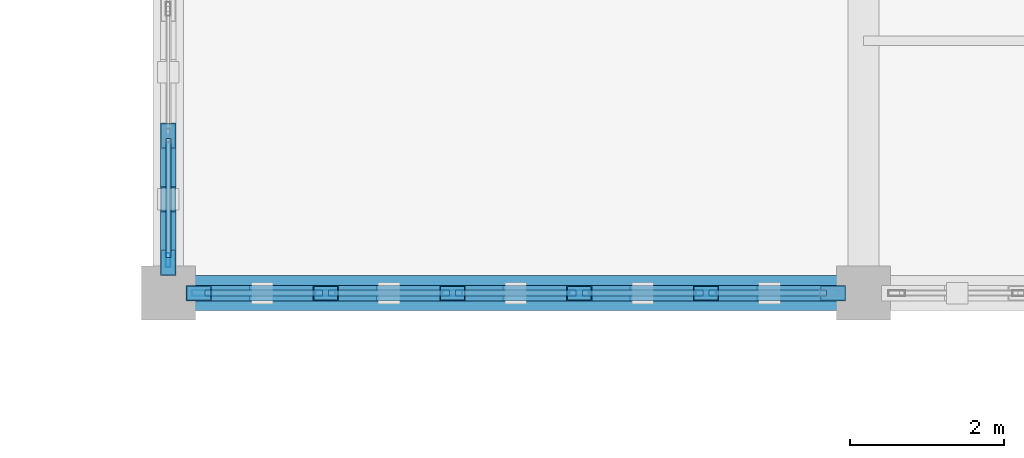
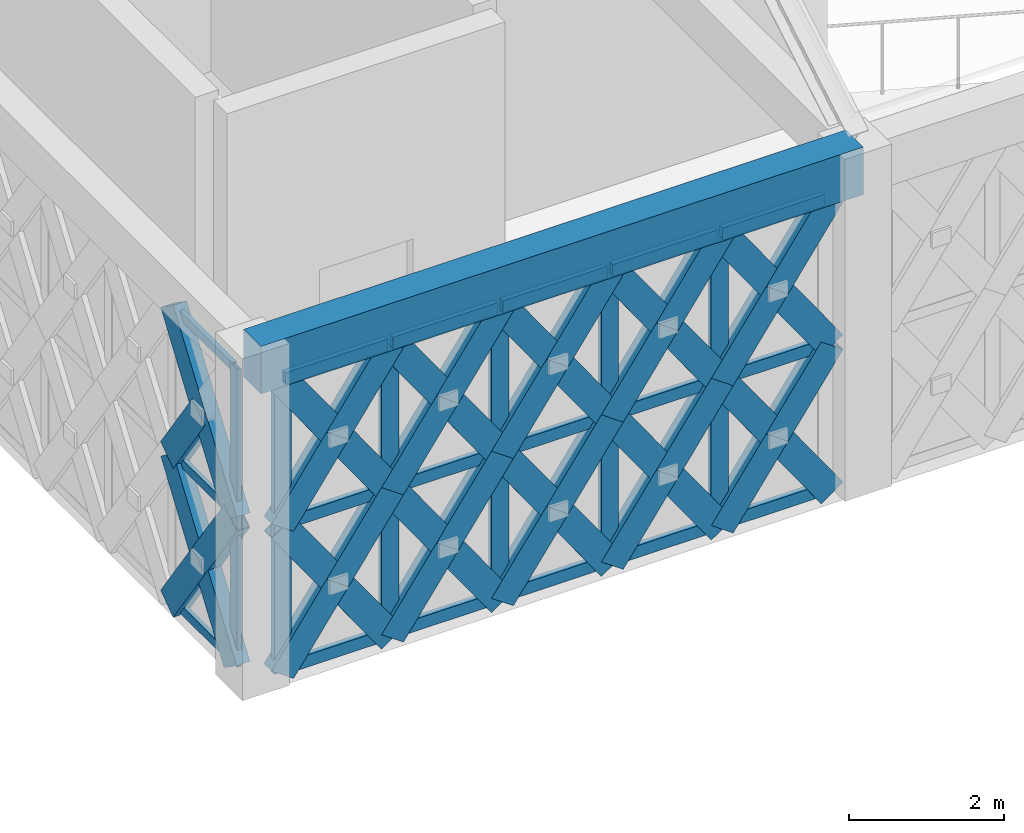
# One storey, part 34 of 72: 59 members, 1 beam, 2 elements without a shape of their own.
"""IFC4 building model written with IfcOpenShell, lengths in metres."""

from ifc_helpers import new_model, si_unit, direction, frame, origin, origin_2d, place, context, subcontext, project, spatial, rectangle, hollow_rectangle, extrude, material, material_profile, profile_set, type_object, element, aggregate, save


model = new_model("IFC4")

# Units and contexts
model_context = context("Model", 3, precision=1e-05, world=origin(), true_north=direction((0.0, 1.0)))
body_context = subcontext(model_context, "Body", "Model", "MODEL_VIEW")
ifc_project = project(units=[si_unit("LENGTHUNIT", "METRE"), si_unit("AREAUNIT", "SQUARE_METRE"), si_unit("VOLUMEUNIT", "CUBIC_METRE"), si_unit("PLANEANGLEUNIT", "RADIAN"), si_unit("MASSUNIT", "GRAM", prefix="KILO")], contexts=[model_context])

# Site, building, storey
site_placement = place(None, origin())
site = spatial("IfcSite", under=ifc_project, at=site_placement, CompositionType="ELEMENT")
building_placement = place(site_placement, origin())
building = spatial("IfcBuilding", under=site, at=building_placement, Name="Haizhuo Lancet Aquarium", CompositionType="ELEMENT")
storey_placement = place(building_placement, frame((0.0, 0.0, 21.60009765625)))
storey = spatial("IfcBuildingStorey", under=building, at=storey_placement, Name="L04", CompositionType="ELEMENT", Elevation=21.60009765625)

# Beam
ifc_material_1 = material(Name="Concrete C40/50", Category="concrete")
ifc_material_profile_1 = material_profile(ifc_material_1, rectangle(XDim=0.449951171875, YDim=0.75, at=origin_2d()), Name="RC-BM 450x750")
ifc_profile_set_1 = profile_set([ifc_material_profile_1], Name="Concrete C40/50")
beam_type = type_object("IfcBeamType", Name="BM-RC-450x750", PredefinedType="BEAM", material=ifc_profile_set_1)
beam_placement = place(storey_placement, frame((-27.0, 36.0, 5.02490234375), z_axis=(1.0, 0.0, 0.0), x_axis=(0.0, 1.0, 0.0)))
element("IfcBeam", 1, at=beam_placement, inside=storey, type_object=beam_type, Name="L04 V5 primary girder BM-L04-V5-002", PredefinedType="BEAM", context=body_context, shape_type="SweptSolid", body=[
    extrude(rectangle(XDim=0.449951171875, YDim=0.75, at=origin_2d()), origin(), (0.0, 0.0, 1.0), 9.0),
])

# Curtain wall, member
ifc_material_2 = material(Name="Aluminium 6063-T6", Category="aluminium")
curtain_wall_type_1 = type_object("IfcCurtainWallType", Name="CWD-8210x4700", PredefinedType="NOTDEFINED", material=ifc_material_2)
curtain_wall_1_placement = place(storey_placement, origin())
curtain_wall_1 = element("IfcCurtainWall", 2, at=curtain_wall_1_placement, inside=storey, type_object=curtain_wall_type_1, Name="L04 curtain wall CW-V5-L04-190", PredefinedType="NOTDEFINED")
ifc_material_profile_2 = material_profile(ifc_material_2, hollow_rectangle(XDim=0.06494140625, YDim=0.179931640625, WallThickness=0.00390625, at=origin_2d()), Name="ALU-M 65x180x4")
ifc_profile_set_2 = profile_set([ifc_material_profile_2], Name="Aluminium 6063-T6")
member_type_1 = type_object("IfcMemberType", Name="CW-MUL-1", PredefinedType="MULLION", material=ifc_profile_set_2)
member_1_placement = place(storey_placement, frame((-27.0, 36.427978515625, 0.0), z_axis=(0.0, 0.0, 1.0), x_axis=(-1.0, 0.0, 0.0)))
member_1 = element("IfcMember", 3, at=member_1_placement, type_object=member_type_1, Name="CWD-82x47 mullion 1", PredefinedType="MULLION", context=body_context, shape_type="SweptSolid", body=[
    extrude(hollow_rectangle(XDim=0.06494140625, YDim=0.179931640625, WallThickness=0.00390625, at=origin_2d()), origin(), (0.0, 0.0, 1.0), 4.699951171875),
])

# Curtain wall, members
curtain_wall_type_2 = type_object("IfcCurtainWallType", Name="CWD-8210x4650", PredefinedType="NOTDEFINED", material=ifc_material_2)
curtain_wall_2_placement = place(storey_placement, origin())
curtain_wall_2 = element("IfcCurtainWall", 4, at=curtain_wall_2_placement, inside=storey, type_object=curtain_wall_type_2, Name="L04 curtain wall CW-V5-L04-189", PredefinedType="NOTDEFINED")
ifc_material_profile_3 = material_profile(ifc_material_2, hollow_rectangle(XDim=0.080078125, YDim=0.260009765625, WallThickness=0.0048828125, at=origin_2d()), Name="ALU-M 80x260x5")
ifc_profile_set_3 = profile_set([ifc_material_profile_3], Name="Aluminium 6063-T6")
member_type_2 = type_object("IfcMemberType", Name="CW-MUL-3", PredefinedType="MULLION", material=ifc_profile_set_3)
member_2_placement = place(storey_placement, frame((-20.037109375, 36.0, 0.0), z_axis=(0.0, 0.0, 1.0), x_axis=(0.0, -1.0, 0.0)))
member_2 = element("IfcMember", 5, at=member_2_placement, type_object=member_type_2, Name="CWD-82x46 mullion 2", PredefinedType="MULLION", context=body_context, shape_type="SweptSolid", body=[
    extrude(hollow_rectangle(XDim=0.080078125, YDim=0.260009765625, WallThickness=0.0048828125, at=origin_2d()), origin(), (0.0, 0.0, 1.0), 4.64990234375),
])
member_3_placement = place(storey_placement, frame((-21.678955078125, 36.0, 0.0), z_axis=(0.0, 0.0, 1.0), x_axis=(0.0, -1.0, 0.0)))
member_3 = element("IfcMember", 6, at=member_3_placement, type_object=member_type_2, Name="CWD-82x46 mullion 3", PredefinedType="MULLION", context=body_context, shape_type="SweptSolid", body=[
    extrude(hollow_rectangle(XDim=0.080078125, YDim=0.260009765625, WallThickness=0.0048828125, at=origin_2d()), origin(), (0.0, 0.0, 1.0), 4.64990234375),
])
member_4_placement = place(storey_placement, frame((-23.321044921875, 36.0, 0.0), z_axis=(0.0, 0.0, 1.0), x_axis=(0.0, -1.0, 0.0)))
member_4 = element("IfcMember", 7, at=member_4_placement, type_object=member_type_2, Name="CWD-82x46 mullion 4", PredefinedType="MULLION", context=body_context, shape_type="SweptSolid", body=[
    extrude(hollow_rectangle(XDim=0.080078125, YDim=0.260009765625, WallThickness=0.0048828125, at=origin_2d()), origin(), (0.0, 0.0, 1.0), 4.64990234375),
])
member_5_placement = place(storey_placement, frame((-24.962890625, 36.0, 0.0), z_axis=(0.0, 0.0, 1.0), x_axis=(0.0, -1.0, 0.0)))
member_5 = element("IfcMember", 8, at=member_5_placement, type_object=member_type_2, Name="CWD-82x46 mullion 5", PredefinedType="MULLION", context=body_context, shape_type="SweptSolid", body=[
    extrude(hollow_rectangle(XDim=0.080078125, YDim=0.260009765625, WallThickness=0.0048828125, at=origin_2d()), origin(), (0.0, 0.0, 1.0), 4.64990234375),
])
member_6_placement = place(storey_placement, frame((-26.56494140625, 36.0, 0.0), z_axis=(0.0, 0.0, 1.0), x_axis=(0.0, -1.0, 0.0)))
member_6 = element("IfcMember", 9, at=member_6_placement, type_object=member_type_2, Name="CWD-82x46 mullion 6", PredefinedType="MULLION", context=body_context, shape_type="SweptSolid", body=[
    extrude(hollow_rectangle(XDim=0.080078125, YDim=0.260009765625, WallThickness=0.0048828125, at=origin_2d()), origin(), (0.0, 0.0, 1.0), 4.64990234375),
])

# Member
ifc_material_profile_4 = material_profile(ifc_material_2, hollow_rectangle(XDim=0.06494140625, YDim=0.139892578125, WallThickness=0.00390625, at=origin_2d()), Name="ALU-T 65x140x4")
ifc_profile_set_4 = profile_set([ifc_material_profile_4], Name="Aluminium 6063-T6")
member_type_3 = type_object("IfcMemberType", Name="CW-TRN-1", PredefinedType="NOTDEFINED", material=ifc_profile_set_4)
member_7_placement = place(storey_placement, frame((-27.0, 36.4599609375, 0.032958984375), z_axis=(0.0, 1.0, 0.0), x_axis=(-1.0, 0.0, 0.0)))
member_7 = element("IfcMember", 10, at=member_7_placement, type_object=member_type_3, Name="CWD-82x47 transom 1.1", ObjectType="TRANSOM", PredefinedType="USERDEFINED", context=body_context, shape_type="SweptSolid", body=[
    extrude(hollow_rectangle(XDim=0.06494140625, YDim=0.139892578125, WallThickness=0.00390625, at=origin_2d()), origin(), (0.0, 0.0, 1.0), 1.544921875),
])

member_8_placement = place(storey_placement, frame((-27.0, 36.4599609375, 2.349853515625), z_axis=(0.0, 1.0, 0.0), x_axis=(-1.0, 0.0, 0.0)))
member_8 = element("IfcMember", 11, at=member_8_placement, type_object=member_type_3, Name="CWD-82x47 transom 1.2", ObjectType="TRANSOM", PredefinedType="USERDEFINED", context=body_context, shape_type="SweptSolid", body=[
    extrude(hollow_rectangle(XDim=0.06494140625, YDim=0.139892578125, WallThickness=0.00390625, at=origin_2d()), origin(), (0.0, 0.0, 1.0), 1.544921875),
])

member_9_placement = place(storey_placement, frame((-27.0, 36.4599609375, 4.66796875), z_axis=(0.0, 1.0, 0.0), x_axis=(-1.0, 0.0, 0.0)))
member_9 = element("IfcMember", 12, at=member_9_placement, type_object=member_type_3, Name="CWD-82x47 transom 1.3", ObjectType="TRANSOM", PredefinedType="USERDEFINED", context=body_context, shape_type="SweptSolid", body=[
    extrude(hollow_rectangle(XDim=0.06494140625, YDim=0.139892578125, WallThickness=0.00390625, at=origin_2d()), origin(), (0.0, 0.0, 1.0), 1.544921875),
])

aggregate(curtain_wall_1, [member_1, member_7, member_8, member_9])

ifc_material_profile_5 = material_profile(ifc_material_2, hollow_rectangle(XDim=0.080078125, YDim=0.18994140625, WallThickness=0.0048828125, at=origin_2d()), Name="ALU-T 80x190x5")
ifc_profile_set_5 = profile_set([ifc_material_profile_5], Name="Aluminium 6063-T6")
member_type_4 = type_object("IfcMemberType", Name="CW-TRN-3", PredefinedType="NOTDEFINED", material=ifc_profile_set_5)
member_10_placement = place(storey_placement, frame((-18.47509765625, 36.0, 0.039794921875), z_axis=(-1.0, 0.0, 0.0), x_axis=(0.0, -1.0, 0.0)))
member_10 = element("IfcMember", 13, at=member_10_placement, type_object=member_type_4, Name="CWD-82x46 transom 1.1", ObjectType="TRANSOM", PredefinedType="USERDEFINED", context=body_context, shape_type="SweptSolid", body=[
    extrude(hollow_rectangle(XDim=0.080078125, YDim=0.18994140625, WallThickness=0.0048828125, at=origin_2d()), origin(), (0.0, 0.0, 1.0), 1.52197265625),
])

member_11_placement = place(storey_placement, frame((-18.47509765625, 36.0, 2.324951171875), z_axis=(-1.0, 0.0, 0.0), x_axis=(0.0, -1.0, 0.0)))
member_11 = element("IfcMember", 14, at=member_11_placement, type_object=member_type_4, Name="CWD-82x46 transom 1.2", ObjectType="TRANSOM", PredefinedType="USERDEFINED", context=body_context, shape_type="SweptSolid", body=[
    extrude(hollow_rectangle(XDim=0.080078125, YDim=0.18994140625, WallThickness=0.0048828125, at=origin_2d()), origin(), (0.0, 0.0, 1.0), 1.52197265625),
])

member_12_placement = place(storey_placement, frame((-18.47509765625, 36.0, 4.60986328125), z_axis=(-1.0, 0.0, 0.0), x_axis=(0.0, -1.0, 0.0)))
member_12 = element("IfcMember", 15, at=member_12_placement, type_object=member_type_4, Name="CWD-82x46 transom 1.3", ObjectType="TRANSOM", PredefinedType="USERDEFINED", context=body_context, shape_type="SweptSolid", body=[
    extrude(hollow_rectangle(XDim=0.080078125, YDim=0.18994140625, WallThickness=0.0048828125, at=origin_2d()), origin(), (0.0, 0.0, 1.0), 1.52197265625),
])

member_13_placement = place(storey_placement, frame((-20.076904296875, 36.0, 0.039794921875), z_axis=(-1.0, 0.0, 0.0), x_axis=(0.0, -1.0, 0.0)))
member_13 = element("IfcMember", 16, at=member_13_placement, type_object=member_type_4, Name="CWD-82x46 transom 2.1", ObjectType="TRANSOM", PredefinedType="USERDEFINED", context=body_context, shape_type="SweptSolid", body=[
    extrude(hollow_rectangle(XDim=0.080078125, YDim=0.18994140625, WallThickness=0.0048828125, at=origin_2d()), origin(), (0.0, 0.0, 1.0), 1.56201171875),
])

member_14_placement = place(storey_placement, frame((-20.076904296875, 36.0, 2.324951171875), z_axis=(-1.0, 0.0, 0.0), x_axis=(0.0, -1.0, 0.0)))
member_14 = element("IfcMember", 17, at=member_14_placement, type_object=member_type_4, Name="CWD-82x46 transom 2.2", ObjectType="TRANSOM", PredefinedType="USERDEFINED", context=body_context, shape_type="SweptSolid", body=[
    extrude(hollow_rectangle(XDim=0.080078125, YDim=0.18994140625, WallThickness=0.0048828125, at=origin_2d()), origin(), (0.0, 0.0, 1.0), 1.56201171875),
])

member_15_placement = place(storey_placement, frame((-20.076904296875, 36.0, 4.60986328125), z_axis=(-1.0, 0.0, 0.0), x_axis=(0.0, -1.0, 0.0)))
member_15 = element("IfcMember", 18, at=member_15_placement, type_object=member_type_4, Name="CWD-82x46 transom 2.3", ObjectType="TRANSOM", PredefinedType="USERDEFINED", context=body_context, shape_type="SweptSolid", body=[
    extrude(hollow_rectangle(XDim=0.080078125, YDim=0.18994140625, WallThickness=0.0048828125, at=origin_2d()), origin(), (0.0, 0.0, 1.0), 1.56201171875),
])

member_16_placement = place(storey_placement, frame((-21.718994140625, 36.0, 0.039794921875), z_axis=(-1.0, 0.0, 0.0), x_axis=(0.0, -1.0, 0.0)))
member_16 = element("IfcMember", 19, at=member_16_placement, type_object=member_type_4, Name="CWD-82x46 transom 3.1", ObjectType="TRANSOM", PredefinedType="USERDEFINED", context=body_context, shape_type="SweptSolid", body=[
    extrude(hollow_rectangle(XDim=0.080078125, YDim=0.18994140625, WallThickness=0.0048828125, at=origin_2d()), origin(), (0.0, 0.0, 1.0), 1.56201171875),
])

member_17_placement = place(storey_placement, frame((-21.718994140625, 36.0, 2.324951171875), z_axis=(-1.0, 0.0, 0.0), x_axis=(0.0, -1.0, 0.0)))
member_17 = element("IfcMember", 20, at=member_17_placement, type_object=member_type_4, Name="CWD-82x46 transom 3.2", ObjectType="TRANSOM", PredefinedType="USERDEFINED", context=body_context, shape_type="SweptSolid", body=[
    extrude(hollow_rectangle(XDim=0.080078125, YDim=0.18994140625, WallThickness=0.0048828125, at=origin_2d()), origin(), (0.0, 0.0, 1.0), 1.56201171875),
])

member_18_placement = place(storey_placement, frame((-21.718994140625, 36.0, 4.60986328125), z_axis=(-1.0, 0.0, 0.0), x_axis=(0.0, -1.0, 0.0)))
member_18 = element("IfcMember", 21, at=member_18_placement, type_object=member_type_4, Name="CWD-82x46 transom 3.3", ObjectType="TRANSOM", PredefinedType="USERDEFINED", context=body_context, shape_type="SweptSolid", body=[
    extrude(hollow_rectangle(XDim=0.080078125, YDim=0.18994140625, WallThickness=0.0048828125, at=origin_2d()), origin(), (0.0, 0.0, 1.0), 1.56201171875),
])

member_19_placement = place(storey_placement, frame((-23.361083984375, 36.0, 0.039794921875), z_axis=(-1.0, 0.0, 0.0), x_axis=(0.0, -1.0, 0.0)))
member_19 = element("IfcMember", 22, at=member_19_placement, type_object=member_type_4, Name="CWD-82x46 transom 4.1", ObjectType="TRANSOM", PredefinedType="USERDEFINED", context=body_context, shape_type="SweptSolid", body=[
    extrude(hollow_rectangle(XDim=0.080078125, YDim=0.18994140625, WallThickness=0.0048828125, at=origin_2d()), origin(), (0.0, 0.0, 1.0), 1.56201171875),
])

member_20_placement = place(storey_placement, frame((-23.361083984375, 36.0, 2.324951171875), z_axis=(-1.0, 0.0, 0.0), x_axis=(0.0, -1.0, 0.0)))
member_20 = element("IfcMember", 23, at=member_20_placement, type_object=member_type_4, Name="CWD-82x46 transom 4.2", ObjectType="TRANSOM", PredefinedType="USERDEFINED", context=body_context, shape_type="SweptSolid", body=[
    extrude(hollow_rectangle(XDim=0.080078125, YDim=0.18994140625, WallThickness=0.0048828125, at=origin_2d()), origin(), (0.0, 0.0, 1.0), 1.56201171875),
])

member_21_placement = place(storey_placement, frame((-23.361083984375, 36.0, 4.60986328125), z_axis=(-1.0, 0.0, 0.0), x_axis=(0.0, -1.0, 0.0)))
member_21 = element("IfcMember", 24, at=member_21_placement, type_object=member_type_4, Name="CWD-82x46 transom 4.3", ObjectType="TRANSOM", PredefinedType="USERDEFINED", context=body_context, shape_type="SweptSolid", body=[
    extrude(hollow_rectangle(XDim=0.080078125, YDim=0.18994140625, WallThickness=0.0048828125, at=origin_2d()), origin(), (0.0, 0.0, 1.0), 1.56201171875),
])

member_22_placement = place(storey_placement, frame((-25.0029296875, 36.0, 0.039794921875), z_axis=(-1.0, 0.0, 0.0), x_axis=(0.0, -1.0, 0.0)))
member_22 = element("IfcMember", 25, at=member_22_placement, type_object=member_type_4, Name="CWD-82x46 transom 5.1", ObjectType="TRANSOM", PredefinedType="USERDEFINED", context=body_context, shape_type="SweptSolid", body=[
    extrude(hollow_rectangle(XDim=0.080078125, YDim=0.18994140625, WallThickness=0.0048828125, at=origin_2d()), origin(), (0.0, 0.0, 1.0), 1.52197265625),
])

member_23_placement = place(storey_placement, frame((-25.0029296875, 36.0, 2.324951171875), z_axis=(-1.0, 0.0, 0.0), x_axis=(0.0, -1.0, 0.0)))
member_23 = element("IfcMember", 26, at=member_23_placement, type_object=member_type_4, Name="CWD-82x46 transom 5.2", ObjectType="TRANSOM", PredefinedType="USERDEFINED", context=body_context, shape_type="SweptSolid", body=[
    extrude(hollow_rectangle(XDim=0.080078125, YDim=0.18994140625, WallThickness=0.0048828125, at=origin_2d()), origin(), (0.0, 0.0, 1.0), 1.52197265625),
])

member_24_placement = place(storey_placement, frame((-25.0029296875, 36.0, 4.60986328125), z_axis=(-1.0, 0.0, 0.0), x_axis=(0.0, -1.0, 0.0)))
member_24 = element("IfcMember", 27, at=member_24_placement, type_object=member_type_4, Name="CWD-82x46 transom 5.3", ObjectType="TRANSOM", PredefinedType="USERDEFINED", context=body_context, shape_type="SweptSolid", body=[
    extrude(hollow_rectangle(XDim=0.080078125, YDim=0.18994140625, WallThickness=0.0048828125, at=origin_2d()), origin(), (0.0, 0.0, 1.0), 1.52197265625),
])

aggregate(curtain_wall_2, [member_2, member_3, member_4, member_5, member_6, member_10, member_11, member_12, member_13, member_14, member_15, member_16, member_17, member_18, member_19, member_20, member_21, member_22, member_23, member_24])

# Members
ifc_material_3 = material(Name="Steel S355", Category="steel")
ifc_material_profile_6 = material_profile(ifc_material_3, hollow_rectangle(XDim=0.199951171875, YDim=0.39990234375, WallThickness=0.011962890625, at=origin_2d()), Name="RHS 200x400x12")
ifc_profile_set_6 = profile_set([ifc_material_profile_6], Name="Steel S355")
member_type_5 = type_object("IfcMemberType", Name="MEM-LB-RHS200x400", PredefinedType="BRACE", material=ifc_profile_set_6)
member_25_placement = place(storey_placement, frame((-18.39501953125, 36.0, 0.0), z_axis=(-0.576905431865, 0.0, 0.816810946722), x_axis=(0.0, -1.0, 0.0)))
element("IfcMember", 28, at=member_25_placement, inside=storey, type_object=member_type_5, Name="Gothic lancet continuous diagonal brace CW-V5-L04-189 1A", PredefinedType="BRACE", context=body_context, shape_type="SweptSolid", body=[
    extrude(hollow_rectangle(XDim=0.199951171875, YDim=0.39990234375, WallThickness=0.011962890625, at=origin_2d()), origin(), (0.0, 0.0, 1.0), 2.846435546875),
])
member_26_placement = place(storey_placement, frame((-20.037109375, 36.0, 0.0), z_axis=(0.576784197237, 0.0, 0.816896560048), x_axis=(0.0, 1.0, 0.0)))
element("IfcMember", 29, at=member_26_placement, inside=storey, type_object=member_type_5, Name="Gothic lancet split diagonal brace CW-V5-L04-189 1B1", PredefinedType="BRACE", context=body_context, shape_type="SweptSolid", body=[
    extrude(hollow_rectangle(XDim=0.199951171875, YDim=0.39990234375, WallThickness=0.011962890625, at=origin_2d()), origin(), (0.0, 0.0, 1.0), 1.423583984375),
])
member_27_placement = place(storey_placement, frame((-19.216064453125, 36.0, 1.162841796875), z_axis=(0.57702670475, 0.0, 0.816725279396), x_axis=(0.0, 1.0, 0.0)))
element("IfcMember", 30, at=member_27_placement, inside=storey, type_object=member_type_5, Name="Gothic lancet split diagonal brace CW-V5-L04-189 1B2", PredefinedType="BRACE", context=body_context, shape_type="SweptSolid", body=[
    extrude(hollow_rectangle(XDim=0.199951171875, YDim=0.39990234375, WallThickness=0.011962890625, at=origin_2d()), origin(), (0.0, 0.0, 1.0), 1.4228515625),
])
member_28_placement = place(storey_placement, frame((-18.39501953125, 36.0, 2.324951171875), z_axis=(-0.576905431865, 0.0, 0.816810946722), x_axis=(0.0, -1.0, 0.0)))
element("IfcMember", 31, at=member_28_placement, inside=storey, type_object=member_type_5, Name="Gothic lancet continuous diagonal brace CW-V5-L04-189 2A", PredefinedType="BRACE", context=body_context, shape_type="SweptSolid", body=[
    extrude(hollow_rectangle(XDim=0.199951171875, YDim=0.39990234375, WallThickness=0.011962890625, at=origin_2d()), origin(), (0.0, 0.0, 1.0), 2.846435546875),
])
member_29_placement = place(storey_placement, frame((-20.037109375, 36.0, 2.324951171875), z_axis=(0.577107574598, 0.0, 0.816668137827), x_axis=(0.0, 1.0, 0.0)))
element("IfcMember", 32, at=member_29_placement, inside=storey, type_object=member_type_5, Name="Gothic lancet split diagonal brace CW-V5-L04-189 2B1", PredefinedType="BRACE", context=body_context, shape_type="SweptSolid", body=[
    extrude(hollow_rectangle(XDim=0.199951171875, YDim=0.39990234375, WallThickness=0.011962890625, at=origin_2d()), origin(), (0.0, 0.0, 1.0), 1.422607421875),
])
member_30_placement = place(storey_placement, frame((-19.216064453125, 36.0, 3.48681640625), z_axis=(0.576703395402, 0.0, 0.816953605618), x_axis=(0.0, 1.0, 0.0)))
element("IfcMember", 33, at=member_30_placement, inside=storey, type_object=member_type_5, Name="Gothic lancet split diagonal brace CW-V5-L04-189 2B2", PredefinedType="BRACE", context=body_context, shape_type="SweptSolid", body=[
    extrude(hollow_rectangle(XDim=0.199951171875, YDim=0.39990234375, WallThickness=0.011962890625, at=origin_2d()), origin(), (0.0, 0.0, 1.0), 1.423583984375),
])
member_31_placement = place(storey_placement, frame((-20.037109375, 36.0, 0.0), z_axis=(-0.57684820195, 0.0, 0.816851364635), x_axis=(0.0, -1.0, 0.0)))
element("IfcMember", 34, at=member_31_placement, inside=storey, type_object=member_type_5, Name="Gothic lancet continuous diagonal brace CW-V5-L04-189 3A", PredefinedType="BRACE", context=body_context, shape_type="SweptSolid", body=[
    extrude(hollow_rectangle(XDim=0.199951171875, YDim=0.39990234375, WallThickness=0.011962890625, at=origin_2d()), origin(), (0.0, 0.0, 1.0), 2.84619140625),
])
member_32_placement = place(storey_placement, frame((-21.678955078125, 36.0, 0.0), z_axis=(0.576784197237, 0.0, 0.816896560048), x_axis=(0.0, 1.0, 0.0)))
element("IfcMember", 35, at=member_32_placement, inside=storey, type_object=member_type_5, Name="Gothic lancet split diagonal brace CW-V5-L04-189 3B1", PredefinedType="BRACE", context=body_context, shape_type="SweptSolid", body=[
    extrude(hollow_rectangle(XDim=0.199951171875, YDim=0.39990234375, WallThickness=0.011962890625, at=origin_2d()), origin(), (0.0, 0.0, 1.0), 1.423583984375),
])
member_33_placement = place(storey_placement, frame((-20.85791015625, 36.0, 1.162841796875), z_axis=(0.57691223637, 0.0, 0.816806140726), x_axis=(0.0, 1.0, 0.0)))
element("IfcMember", 36, at=member_33_placement, inside=storey, type_object=member_type_5, Name="Gothic lancet split diagonal brace CW-V5-L04-189 3B2", PredefinedType="BRACE", context=body_context, shape_type="SweptSolid", body=[
    extrude(hollow_rectangle(XDim=0.199951171875, YDim=0.39990234375, WallThickness=0.011962890625, at=origin_2d()), origin(), (0.0, 0.0, 1.0), 1.4228515625),
])
member_34_placement = place(storey_placement, frame((-20.037109375, 36.0, 2.324951171875), z_axis=(-0.57684820195, 0.0, 0.816851364635), x_axis=(0.0, -1.0, 0.0)))
element("IfcMember", 37, at=member_34_placement, inside=storey, type_object=member_type_5, Name="Gothic lancet continuous diagonal brace CW-V5-L04-189 4A", PredefinedType="BRACE", context=body_context, shape_type="SweptSolid", body=[
    extrude(hollow_rectangle(XDim=0.199951171875, YDim=0.39990234375, WallThickness=0.011962890625, at=origin_2d()), origin(), (0.0, 0.0, 1.0), 2.84619140625),
])
member_35_placement = place(storey_placement, frame((-21.678955078125, 36.0, 2.324951171875), z_axis=(0.577107574598, 0.0, 0.816668137827), x_axis=(0.0, 1.0, 0.0)))
element("IfcMember", 38, at=member_35_placement, inside=storey, type_object=member_type_5, Name="Gothic lancet split diagonal brace CW-V5-L04-189 4B1", PredefinedType="BRACE", context=body_context, shape_type="SweptSolid", body=[
    extrude(hollow_rectangle(XDim=0.199951171875, YDim=0.39990234375, WallThickness=0.011962890625, at=origin_2d()), origin(), (0.0, 0.0, 1.0), 1.422607421875),
])
member_36_placement = place(storey_placement, frame((-20.85791015625, 36.0, 3.48681640625), z_axis=(0.576588927202, 0.0, 0.817034398926), x_axis=(0.0, 1.0, 0.0)))
element("IfcMember", 39, at=member_36_placement, inside=storey, type_object=member_type_5, Name="Gothic lancet split diagonal brace CW-V5-L04-189 4B2", PredefinedType="BRACE", context=body_context, shape_type="SweptSolid", body=[
    extrude(hollow_rectangle(XDim=0.199951171875, YDim=0.39990234375, WallThickness=0.011962890625, at=origin_2d()), origin(), (0.0, 0.0, 1.0), 1.423583984375),
])
member_37_placement = place(storey_placement, frame((-21.678955078125, 36.0, 0.0), z_axis=(-0.576905431865, 0.0, 0.816810946722), x_axis=(0.0, -1.0, 0.0)))
element("IfcMember", 40, at=member_37_placement, inside=storey, type_object=member_type_5, Name="Gothic lancet continuous diagonal brace CW-V5-L04-189 5A", PredefinedType="BRACE", context=body_context, shape_type="SweptSolid", body=[
    extrude(hollow_rectangle(XDim=0.199951171875, YDim=0.39990234375, WallThickness=0.011962890625, at=origin_2d()), origin(), (0.0, 0.0, 1.0), 2.846435546875),
])
member_38_placement = place(storey_placement, frame((-23.321044921875, 36.0, 0.0), z_axis=(0.576784197237, 0.0, 0.816896560048), x_axis=(0.0, 1.0, 0.0)))
element("IfcMember", 41, at=member_38_placement, inside=storey, type_object=member_type_5, Name="Gothic lancet split diagonal brace CW-V5-L04-189 5B1", PredefinedType="BRACE", context=body_context, shape_type="SweptSolid", body=[
    extrude(hollow_rectangle(XDim=0.199951171875, YDim=0.39990234375, WallThickness=0.011962890625, at=origin_2d()), origin(), (0.0, 0.0, 1.0), 1.423583984375),
])
member_39_placement = place(storey_placement, frame((-22.5, 36.0, 1.162841796875), z_axis=(0.57702670475, 0.0, 0.816725279396), x_axis=(0.0, 1.0, 0.0)))
element("IfcMember", 42, at=member_39_placement, inside=storey, type_object=member_type_5, Name="Gothic lancet split diagonal brace CW-V5-L04-189 5B2", PredefinedType="BRACE", context=body_context, shape_type="SweptSolid", body=[
    extrude(hollow_rectangle(XDim=0.199951171875, YDim=0.39990234375, WallThickness=0.011962890625, at=origin_2d()), origin(), (0.0, 0.0, 1.0), 1.4228515625),
])
member_40_placement = place(storey_placement, frame((-21.678955078125, 36.0, 2.324951171875), z_axis=(-0.576905431865, 0.0, 0.816810946722), x_axis=(0.0, -1.0, 0.0)))
element("IfcMember", 43, at=member_40_placement, inside=storey, type_object=member_type_5, Name="Gothic lancet continuous diagonal brace CW-V5-L04-189 6A", PredefinedType="BRACE", context=body_context, shape_type="SweptSolid", body=[
    extrude(hollow_rectangle(XDim=0.199951171875, YDim=0.39990234375, WallThickness=0.011962890625, at=origin_2d()), origin(), (0.0, 0.0, 1.0), 2.846435546875),
])
member_41_placement = place(storey_placement, frame((-23.321044921875, 36.0, 2.324951171875), z_axis=(0.577107574598, 0.0, 0.816668137827), x_axis=(0.0, 1.0, 0.0)))
element("IfcMember", 44, at=member_41_placement, inside=storey, type_object=member_type_5, Name="Gothic lancet split diagonal brace CW-V5-L04-189 6B1", PredefinedType="BRACE", context=body_context, shape_type="SweptSolid", body=[
    extrude(hollow_rectangle(XDim=0.199951171875, YDim=0.39990234375, WallThickness=0.011962890625, at=origin_2d()), origin(), (0.0, 0.0, 1.0), 1.422607421875),
])
member_42_placement = place(storey_placement, frame((-22.5, 36.0, 3.48681640625), z_axis=(0.576703395402, 0.0, 0.816953605618), x_axis=(0.0, 1.0, 0.0)))
element("IfcMember", 45, at=member_42_placement, inside=storey, type_object=member_type_5, Name="Gothic lancet split diagonal brace CW-V5-L04-189 6B2", PredefinedType="BRACE", context=body_context, shape_type="SweptSolid", body=[
    extrude(hollow_rectangle(XDim=0.199951171875, YDim=0.39990234375, WallThickness=0.011962890625, at=origin_2d()), origin(), (0.0, 0.0, 1.0), 1.423583984375),
])
member_43_placement = place(storey_placement, frame((-23.321044921875, 36.0, 0.0), z_axis=(-0.57684820195, 0.0, 0.816851364635), x_axis=(0.0, -1.0, 0.0)))
element("IfcMember", 46, at=member_43_placement, inside=storey, type_object=member_type_5, Name="Gothic lancet continuous diagonal brace CW-V5-L04-189 7A", PredefinedType="BRACE", context=body_context, shape_type="SweptSolid", body=[
    extrude(hollow_rectangle(XDim=0.199951171875, YDim=0.39990234375, WallThickness=0.011962890625, at=origin_2d()), origin(), (0.0, 0.0, 1.0), 2.84619140625),
])
member_44_placement = place(storey_placement, frame((-24.962890625, 36.0, 0.0), z_axis=(0.576669728982, 0.0, 0.816977370357), x_axis=(0.0, 1.0, 0.0)))
element("IfcMember", 47, at=member_44_placement, inside=storey, type_object=member_type_5, Name="Gothic lancet split diagonal brace CW-V5-L04-189 7B1", PredefinedType="BRACE", context=body_context, shape_type="SweptSolid", body=[
    extrude(hollow_rectangle(XDim=0.199951171875, YDim=0.39990234375, WallThickness=0.011962890625, at=origin_2d()), origin(), (0.0, 0.0, 1.0), 1.42333984375),
])
member_45_placement = place(storey_placement, frame((-24.14208984375, 36.0, 1.162841796875), z_axis=(0.57702670475, 0.0, 0.816725279396), x_axis=(0.0, 1.0, 0.0)))
element("IfcMember", 48, at=member_45_placement, inside=storey, type_object=member_type_5, Name="Gothic lancet split diagonal brace CW-V5-L04-189 7B2", PredefinedType="BRACE", context=body_context, shape_type="SweptSolid", body=[
    extrude(hollow_rectangle(XDim=0.199951171875, YDim=0.39990234375, WallThickness=0.011962890625, at=origin_2d()), origin(), (0.0, 0.0, 1.0), 1.4228515625),
])
member_46_placement = place(storey_placement, frame((-23.321044921875, 36.0, 2.324951171875), z_axis=(-0.57684820195, 0.0, 0.816851364635), x_axis=(0.0, -1.0, 0.0)))
element("IfcMember", 49, at=member_46_placement, inside=storey, type_object=member_type_5, Name="Gothic lancet continuous diagonal brace CW-V5-L04-189 8A", PredefinedType="BRACE", context=body_context, shape_type="SweptSolid", body=[
    extrude(hollow_rectangle(XDim=0.199951171875, YDim=0.39990234375, WallThickness=0.011962890625, at=origin_2d()), origin(), (0.0, 0.0, 1.0), 2.84619140625),
])
member_47_placement = place(storey_placement, frame((-24.962890625, 36.0, 2.324951171875), z_axis=(0.576993106189, 0.0, 0.816749016167), x_axis=(0.0, 1.0, 0.0)))
element("IfcMember", 50, at=member_47_placement, inside=storey, type_object=member_type_5, Name="Gothic lancet split diagonal brace CW-V5-L04-189 8B1", PredefinedType="BRACE", context=body_context, shape_type="SweptSolid", body=[
    extrude(hollow_rectangle(XDim=0.199951171875, YDim=0.39990234375, WallThickness=0.011962890625, at=origin_2d()), origin(), (0.0, 0.0, 1.0), 1.422607421875),
])
member_48_placement = place(storey_placement, frame((-24.14208984375, 36.0, 3.48681640625), z_axis=(0.576703395402, 0.0, 0.816953605618), x_axis=(0.0, 1.0, 0.0)))
element("IfcMember", 51, at=member_48_placement, inside=storey, type_object=member_type_5, Name="Gothic lancet split diagonal brace CW-V5-L04-189 8B2", PredefinedType="BRACE", context=body_context, shape_type="SweptSolid", body=[
    extrude(hollow_rectangle(XDim=0.199951171875, YDim=0.39990234375, WallThickness=0.011962890625, at=origin_2d()), origin(), (0.0, 0.0, 1.0), 1.423583984375),
])
member_49_placement = place(storey_placement, frame((-24.962890625, 36.0, 0.0), z_axis=(-0.576905431865, 0.0, 0.816810946722), x_axis=(0.0, -1.0, 0.0)))
element("IfcMember", 52, at=member_49_placement, inside=storey, type_object=member_type_5, Name="Gothic lancet continuous diagonal brace CW-V5-L04-189 9A", PredefinedType="BRACE", context=body_context, shape_type="SweptSolid", body=[
    extrude(hollow_rectangle(XDim=0.199951171875, YDim=0.39990234375, WallThickness=0.011962890625, at=origin_2d()), origin(), (0.0, 0.0, 1.0), 2.846435546875),
])
member_50_placement = place(storey_placement, frame((-26.60498046875, 36.0, 0.0), z_axis=(0.576784197237, 0.0, 0.816896560048), x_axis=(0.0, 1.0, 0.0)))
element("IfcMember", 53, at=member_50_placement, inside=storey, type_object=member_type_5, Name="Gothic lancet split diagonal brace CW-V5-L04-189 9B1", PredefinedType="BRACE", context=body_context, shape_type="SweptSolid", body=[
    extrude(hollow_rectangle(XDim=0.199951171875, YDim=0.39990234375, WallThickness=0.011962890625, at=origin_2d()), origin(), (0.0, 0.0, 1.0), 1.423583984375),
])
member_51_placement = place(storey_placement, frame((-25.783935546875, 36.0, 1.162841796875), z_axis=(0.57702670475, 0.0, 0.816725279396), x_axis=(0.0, 1.0, 0.0)))
element("IfcMember", 54, at=member_51_placement, inside=storey, type_object=member_type_5, Name="Gothic lancet split diagonal brace CW-V5-L04-189 9B2", PredefinedType="BRACE", context=body_context, shape_type="SweptSolid", body=[
    extrude(hollow_rectangle(XDim=0.199951171875, YDim=0.39990234375, WallThickness=0.011962890625, at=origin_2d()), origin(), (0.0, 0.0, 1.0), 1.4228515625),
])
member_52_placement = place(storey_placement, frame((-24.962890625, 36.0, 2.324951171875), z_axis=(-0.576905431865, 0.0, 0.816810946722), x_axis=(0.0, -1.0, 0.0)))
element("IfcMember", 55, at=member_52_placement, inside=storey, type_object=member_type_5, Name="Gothic lancet continuous diagonal brace CW-V5-L04-189 10A", PredefinedType="BRACE", context=body_context, shape_type="SweptSolid", body=[
    extrude(hollow_rectangle(XDim=0.199951171875, YDim=0.39990234375, WallThickness=0.011962890625, at=origin_2d()), origin(), (0.0, 0.0, 1.0), 2.846435546875),
])
member_53_placement = place(storey_placement, frame((-26.60498046875, 36.0, 2.324951171875), z_axis=(0.577107574598, 0.0, 0.816668137827), x_axis=(0.0, 1.0, 0.0)))
element("IfcMember", 56, at=member_53_placement, inside=storey, type_object=member_type_5, Name="Gothic lancet split diagonal brace CW-V5-L04-189 10B1", PredefinedType="BRACE", context=body_context, shape_type="SweptSolid", body=[
    extrude(hollow_rectangle(XDim=0.199951171875, YDim=0.39990234375, WallThickness=0.011962890625, at=origin_2d()), origin(), (0.0, 0.0, 1.0), 1.422607421875),
])
member_54_placement = place(storey_placement, frame((-25.783935546875, 36.0, 3.48681640625), z_axis=(0.576703395402, 0.0, 0.816953605618), x_axis=(0.0, 1.0, 0.0)))
element("IfcMember", 57, at=member_54_placement, inside=storey, type_object=member_type_5, Name="Gothic lancet split diagonal brace CW-V5-L04-189 10B2", PredefinedType="BRACE", context=body_context, shape_type="SweptSolid", body=[
    extrude(hollow_rectangle(XDim=0.199951171875, YDim=0.39990234375, WallThickness=0.011962890625, at=origin_2d()), origin(), (0.0, 0.0, 1.0), 1.423583984375),
])
member_55_placement = place(storey_placement, frame((-27.0, 36.39501953125, 0.0), z_axis=(0.0, 0.572804863154, 0.819691764475), x_axis=(-1.0, 0.0, 0.0)))
element("IfcMember", 58, at=member_55_placement, inside=storey, type_object=member_type_5, Name="Gothic lancet continuous diagonal brace CW-V5-L04-190 1A", PredefinedType="BRACE", context=body_context, shape_type="SweptSolid", body=[
    extrude(hollow_rectangle(XDim=0.199951171875, YDim=0.39990234375, WallThickness=0.011962890625, at=origin_2d()), origin(), (0.0, 0.0, 1.0), 2.86669921875),
])
member_56_placement = place(storey_placement, frame((-27.0, 38.037109375, 0.0), z_axis=(0.0, -0.572844851184, 0.819663819179), x_axis=(1.0, 0.0, 0.0)))
element("IfcMember", 59, at=member_56_placement, inside=storey, type_object=member_type_5, Name="Gothic lancet split diagonal brace CW-V5-L04-190 1B1", PredefinedType="BRACE", context=body_context, shape_type="SweptSolid", body=[
    extrude(hollow_rectangle(XDim=0.199951171875, YDim=0.39990234375, WallThickness=0.011962890625, at=origin_2d()), origin(), (0.0, 0.0, 1.0), 1.433349609375),
])
member_57_placement = place(storey_placement, frame((-27.0, 37.216064453125, 1.1748046875), z_axis=(0.0, -0.572764879343, 0.819719703918), x_axis=(1.0, 0.0, 0.0)))
element("IfcMember", 60, at=member_57_placement, inside=storey, type_object=member_type_5, Name="Gothic lancet split diagonal brace CW-V5-L04-190 1B2", PredefinedType="BRACE", context=body_context, shape_type="SweptSolid", body=[
    extrude(hollow_rectangle(XDim=0.199951171875, YDim=0.39990234375, WallThickness=0.011962890625, at=origin_2d()), origin(), (0.0, 0.0, 1.0), 1.43359375),
])
member_58_placement = place(storey_placement, frame((-27.0, 36.39501953125, 2.349853515625), z_axis=(0.0, 0.572764879343, 0.819719703918), x_axis=(-1.0, 0.0, 0.0)))
element("IfcMember", 61, at=member_58_placement, inside=storey, type_object=member_type_5, Name="Gothic lancet continuous diagonal brace CW-V5-L04-190 2A", PredefinedType="BRACE", context=body_context, shape_type="SweptSolid", body=[
    extrude(hollow_rectangle(XDim=0.199951171875, YDim=0.39990234375, WallThickness=0.011962890625, at=origin_2d()), origin(), (0.0, 0.0, 1.0), 2.866943359375),
])
member_59_placement = place(storey_placement, frame((-27.0, 38.037109375, 2.349853515625), z_axis=(0.0, -0.572764879343, 0.819719703918), x_axis=(1.0, 0.0, 0.0)))
element("IfcMember", 62, at=member_59_placement, inside=storey, type_object=member_type_5, Name="Gothic lancet split diagonal brace CW-V5-L04-190 2B1", PredefinedType="BRACE", context=body_context, shape_type="SweptSolid", body=[
    extrude(hollow_rectangle(XDim=0.199951171875, YDim=0.39990234375, WallThickness=0.011962890625, at=origin_2d()), origin(), (0.0, 0.0, 1.0), 1.43359375),
])

save(model, "model.ifc")
